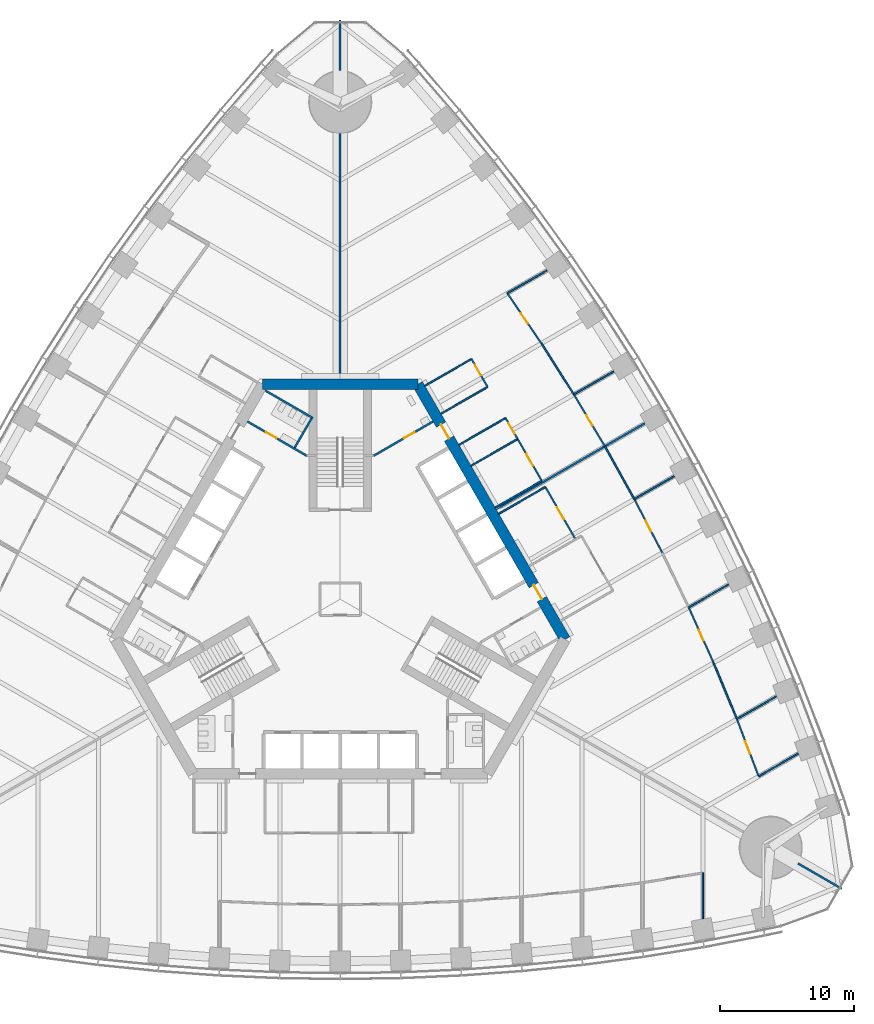
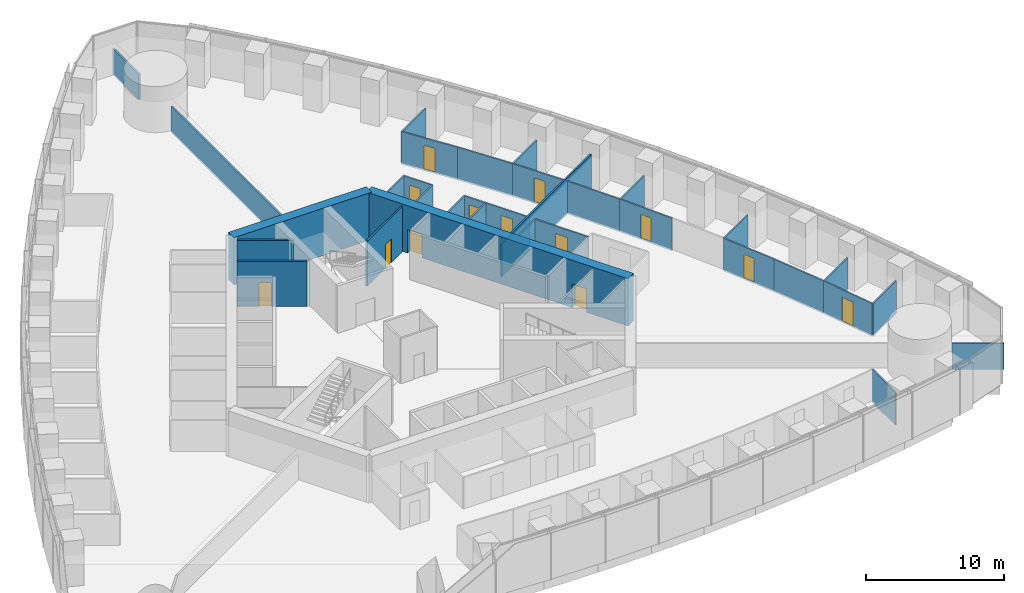
# One storey, part 13 of 19: 35 walls, 13 doors, 13 openings.
"""IFC4 building model written with IfcOpenShell, lengths in metres."""

from ifc_helpers import new_model, si_unit, direction, frame, frame_2d, origin, place, context, subcontext, project, spatial, rectangle, extrude, material, layer, layer_set, type_object, element, fill, save


model = new_model("IFC4")

# Units and contexts
model_context = context("Model", 3, precision=1e-05, world=origin(), true_north=direction((0.0, 1.0)))
body_context = subcontext(model_context, "Body", "Model", "MODEL_VIEW")
ifc_project = project(units=[si_unit("LENGTHUNIT", "METRE"), si_unit("AREAUNIT", "SQUARE_METRE"), si_unit("VOLUMEUNIT", "CUBIC_METRE"), si_unit("PLANEANGLEUNIT", "RADIAN"), si_unit("MASSUNIT", "GRAM", prefix="KILO")], contexts=[model_context])

# Site, building, storey
site_placement = place(None, origin())
site = spatial("IfcSite", under=ifc_project, at=site_placement, CompositionType="ELEMENT")
building_placement = place(site_placement, origin())
building = spatial("IfcBuilding", under=site, at=building_placement, Name="Trefoil Bronze Tower", CompositionType="ELEMENT")
storey_placement = place(building_placement, frame((0.0, 0.0, 20.699951171875)))
storey = spatial("IfcBuildingStorey", under=building, at=storey_placement, Name="L04", CompositionType="ELEMENT", Elevation=20.699951171875)

# Wall, openings, doors
ifc_material_1 = material(Name="Concrete B80", Category="concrete")
ifc_layer_1 = layer(ifc_material_1, 0.800048828125)
ifc_layer_set_1 = layer_set([ifc_layer_1], Name="Core wall 800")
wall_type_1 = type_object("IfcWallType", Name="Core wall 800", PredefinedType="SHEAR", material=ifc_layer_set_1)
wall_1_placement = place(storey_placement, frame((16.7431640625, -3.0, 0.0), z_axis=(0.0, 0.0, 1.0), x_axis=(-0.500002442456, 0.866023993627, 0.0)))
wall_1 = element("IfcWall", 1, at=wall_1_placement, inside=storey, type_object=wall_type_1, Name="Core long wall 2 L04", PredefinedType="SHEAR", context=body_context, shape_type="SweptSolid", body=[
    extrude(rectangle(XDim=21.939453125, YDim=0.800048828125, at=frame_2d((10.9697265625, 0.0))), origin(), (0.0, 0.0, 1.0), 4.199951171875),
])
opening_1_placement = place(wall_1_placement, frame((17.269775390625, 0.0, 0.0)))
opening_1 = element("IfcOpeningElement", 2, at=opening_1_placement, cuts=wall_1, Name="Opening D2", PredefinedType="OPENING", context=body_context, shape_type="SweptSolid", body=[
    extrude(rectangle(XDim=1.199951171875, YDim=2.10009765625, at=frame_2d((0.60009765625, 1.050048828125))), frame((0.0, 0.409912109375, 0.0), z_axis=(0.0, -1.0, 0.0), x_axis=(1.0, 0.0, 0.0)), (0.0, 0.0, 1.0), 0.820068359375),
])
opening_2_placement = place(wall_1_placement, frame((3.4697265625, 0.0, 0.0)))
opening_2 = element("IfcOpeningElement", 3, at=opening_2_placement, cuts=wall_1, Name="Opening D2", PredefinedType="OPENING", context=body_context, shape_type="SweptSolid", body=[
    extrude(rectangle(XDim=1.199951171875, YDim=2.10009765625, at=frame_2d((0.60009765625, 1.050048828125))), frame((0.0, 0.409912109375, 0.0), z_axis=(0.0, -1.0, 0.0), x_axis=(1.0, 0.0, 0.0)), (0.0, 0.0, 1.0), 0.820068359375),
])
ifc_material_2 = material(Name="Steel door", Category="steel")
door_type_1 = type_object("IfcDoorType", Name="Lobby door 1200", OperationType="SINGLE_SWING_RIGHT", PredefinedType="DOOR", material=ifc_material_2)
door_1_placement = place(opening_1_placement, origin())
door_1 = element("IfcDoor", 4, at=door_1_placement, inside=storey, type_object=door_type_1, Name="Lobby door F2+ L04", OperationType="SINGLE_SWING_RIGHT", OverallHeight=2.10009765625, OverallWidth=1.199951171875, PredefinedType="DOOR", context=body_context, shape_type="SweptSolid", body=[
    extrude(rectangle(XDim=1.199951171875, YDim=2.10009765625, at=frame_2d((0.60009765625, 1.050048828125))), frame((0.0, 0.02490234375, 0.0), z_axis=(0.0, -1.0, 0.0), x_axis=(1.0, 0.0, 0.0)), (0.0, 0.0, 1.0), 0.050048828125),
])
fill(opening_1, door_1)
door_2_placement = place(opening_2_placement, origin())
door_2 = element("IfcDoor", 5, at=door_2_placement, inside=storey, type_object=door_type_1, Name="Lobby door F2- L04", OperationType="SINGLE_SWING_LEFT", OverallHeight=2.10009765625, OverallWidth=1.199951171875, PredefinedType="DOOR", context=body_context, shape_type="SweptSolid", body=[
    extrude(rectangle(XDim=1.199951171875, YDim=2.10009765625, at=frame_2d((0.60009765625, 1.050048828125))), frame((0.0, 0.02490234375, 0.0), z_axis=(0.0, -1.0, 0.0), x_axis=(1.0, 0.0, 0.0)), (0.0, 0.0, 1.0), 0.050048828125),
])
fill(opening_2, door_2)

# Walls
wall_2_placement = place(storey_placement, frame((5.7734375, 16.0, 0.0), z_axis=(0.0, 0.0, 1.0), x_axis=(-1.0, 0.0, 0.0)))
element("IfcWall", 6, at=wall_2_placement, inside=storey, type_object=wall_type_1, Name="Core short wall 2 L04", PredefinedType="SHEAR", context=body_context, shape_type="SweptSolid", body=[
    extrude(rectangle(XDim=11.546875, YDim=0.800048828125, at=frame_2d((5.7734375, 0.0))), origin(), (0.0, 0.0, 1.0), 4.199951171875),
])
ifc_material_3 = material(Name="Glazed partition", Category="glass")
ifc_layer_2 = layer(ifc_material_3, 0.1201171875)
ifc_layer_set_2 = layer_set([ifc_layer_2], Name="Glazed partition 120")
wall_type_2 = type_object("IfcWallType", Name="Glazed partition 120", PredefinedType="PARTITIONING", material=ifc_layer_set_2)
wall_3_placement = place(storey_placement, frame((27.0, -20.38037109375, 0.0), z_axis=(0.0, 0.0, 1.0), x_axis=(0.0, -1.0, 0.0)))
element("IfcWall", 7, at=wall_3_placement, inside=storey, type_object=wall_type_2, Name="Partition F1 L04", PredefinedType="PARTITIONING", context=body_context, shape_type="SweptSolid", body=[
    extrude(rectangle(XDim=3.395751953125, YDim=0.1201171875, at=frame_2d((1.69775390625, 0.0))), origin(), (0.0, 0.0, 1.0), 2.900146484375),
])

# Wall, opening, door
wall_4_placement = place(storey_placement, frame((15.00634765625, 8.808349609375, 0.0), z_axis=(0.0, 0.0, 1.0), x_axis=(-0.500012057535, 0.866018442252, 0.0)))
wall_4 = element("IfcWall", 8, at=wall_4_placement, inside=storey, type_object=wall_type_2, Name="Partition F2 L04", PredefinedType="PARTITIONING", context=body_context, shape_type="SweptSolid", body=[
    extrude(rectangle(XDim=3.60009765625, YDim=0.1201171875, at=frame_2d((1.800048828125, 0.0))), origin(), (0.0, 0.0, 1.0), 2.900146484375),
])
opening_3_placement = place(wall_4_placement, frame((1.300048828125, 0.0, 0.14990234375)))
opening_3 = element("IfcOpeningElement", 9, at=opening_3_placement, cuts=wall_4, Name="Opening D9", PredefinedType="OPENING", context=body_context, shape_type="SweptSolid", body=[
    extrude(rectangle(XDim=1.0, YDim=2.10009765625, at=frame_2d((0.5, 1.050048828125))), frame((0.0, 0.070068359375, 0.0), z_axis=(0.0, -1.0, 0.0), x_axis=(1.0, 0.0, 0.0)), (0.0, 0.0, 1.0), 0.14013671875),
])
ifc_material_4 = material(Name="Glazed timber door", Category="wood")
door_type_2 = type_object("IfcDoorType", Name="Meeting room door 1000", OperationType="SINGLE_SWING_LEFT", PredefinedType="DOOR", material=ifc_material_4)
door_3_placement = place(opening_3_placement, origin())
door_3 = element("IfcDoor", 10, at=door_3_placement, inside=storey, type_object=door_type_2, Name="Meeting room door F2 L04", OperationType="SINGLE_SWING_LEFT", OverallHeight=2.10009765625, OverallWidth=1.0, PredefinedType="DOOR", context=body_context, shape_type="SweptSolid", body=[
    extrude(rectangle(XDim=1.0, YDim=2.10009765625, at=frame_2d((0.5, 1.050048828125))), frame((0.0, 0.02490234375, 0.0), z_axis=(0.0, -1.0, 0.0), x_axis=(1.0, 0.0, 0.0)), (0.0, 0.0, 1.0), 0.050048828125),
])
fill(opening_3, door_3)

wall_5_placement = place(storey_placement, frame((13.206298828125, 11.926025390625, 0.0), z_axis=(0.0, 0.0, 1.0), x_axis=(-0.499961193289, 0.866047807691, 0.0)))
wall_5 = element("IfcWall", 11, at=wall_5_placement, inside=storey, type_object=wall_type_2, Name="Partition F2 L04", PredefinedType="PARTITIONING", context=body_context, shape_type="SweptSolid", body=[
    extrude(rectangle(XDim=1.800048828125, YDim=0.1201171875, at=frame_2d((0.89990234375, 0.0))), origin(), (0.0, 0.0, 1.0), 2.900146484375),
])
opening_4_placement = place(wall_5_placement, frame((0.449951171875, 0.0, 0.14990234375)))
opening_4 = element("IfcOpeningElement", 12, at=opening_4_placement, cuts=wall_5, Name="Opening D8", PredefinedType="OPENING", context=body_context, shape_type="SweptSolid", body=[
    extrude(rectangle(XDim=0.89990234375, YDim=2.10009765625, at=frame_2d((0.449951171875, 1.050048828125))), frame((0.0, 0.070068359375, 0.0), z_axis=(0.0, -1.0, 0.0), x_axis=(1.0, 0.0, 0.0)), (0.0, 0.0, 1.0), 0.14013671875),
])
ifc_material_5 = material(Name="Timber door", Category="wood")
door_type_3 = type_object("IfcDoorType", Name="Office door 900", OperationType="SINGLE_SWING_LEFT", PredefinedType="DOOR", material=ifc_material_5)
door_4_placement = place(opening_4_placement, origin())
door_4 = element("IfcDoor", 13, at=door_4_placement, inside=storey, type_object=door_type_3, Name="Phone room door F2 L04", OperationType="SINGLE_SWING_LEFT", OverallHeight=2.10009765625, OverallWidth=0.89990234375, PredefinedType="DOOR", context=body_context, shape_type="SweptSolid", body=[
    extrude(rectangle(XDim=0.89990234375, YDim=2.10009765625, at=frame_2d((0.449951171875, 1.050048828125))), frame((0.0, 0.02490234375, 0.0), z_axis=(0.0, -1.0, 0.0), x_axis=(1.0, 0.0, 0.0)), (0.0, 0.0, 1.0), 0.050048828125),
])
fill(opening_4, door_4)

wall_6_placement = place(storey_placement, frame((10.96875, 15.801513671875, 0.0), z_axis=(0.0, 0.0, 1.0), x_axis=(-0.500001309137, 0.866024647952, 0.0)))
wall_6 = element("IfcWall", 14, at=wall_6_placement, inside=storey, type_object=wall_type_2, Name="Partition F2 L04", PredefinedType="PARTITIONING", context=body_context, shape_type="SweptSolid", body=[
    extrude(rectangle(XDim=2.39990234375, YDim=0.1201171875, at=frame_2d((1.199951171875, 0.0))), origin(), (0.0, 0.0, 1.0), 2.900146484375),
])
opening_5_placement = place(wall_6_placement, frame((1.0, 0.0, 0.14990234375)))
opening_5 = element("IfcOpeningElement", 15, at=opening_5_placement, cuts=wall_6, Name="Opening D8", PredefinedType="OPENING", context=body_context, shape_type="SweptSolid", body=[
    extrude(rectangle(XDim=0.89990234375, YDim=2.10009765625, at=frame_2d((0.449951171875, 1.050048828125))), frame((0.0, 0.070068359375, 0.0), z_axis=(0.0, -1.0, 0.0), x_axis=(1.0, 0.0, 0.0)), (0.0, 0.0, 1.0), 0.14013671875),
])
door_5_placement = place(opening_5_placement, origin())
door_5 = element("IfcDoor", 16, at=door_5_placement, inside=storey, type_object=door_type_3, Name="Comms room door F2 L04", OperationType="SINGLE_SWING_RIGHT", OverallHeight=2.10009765625, OverallWidth=0.89990234375, PredefinedType="DOOR", context=body_context, shape_type="SweptSolid", body=[
    extrude(rectangle(XDim=0.89990234375, YDim=2.10009765625, at=frame_2d((0.449951171875, 1.050048828125))), frame((0.0, 0.02490234375, 0.0), z_axis=(0.0, -1.0, 0.0), x_axis=(1.0, 0.0, 0.0)), (0.0, 0.0, 1.0), 0.050048828125),
])
fill(opening_5, door_5)

wall_7_placement = place(storey_placement, frame((17.518798828125, 4.45654296875, 0.0), z_axis=(0.0, 0.0, 1.0), x_axis=(-0.500013631625, 0.866017533419, 0.0)))
wall_7 = element("IfcWall", 17, at=wall_7_placement, inside=storey, type_object=wall_type_2, Name="Partition F2 L04", PredefinedType="PARTITIONING", context=body_context, shape_type="SweptSolid", body=[
    extrude(rectangle(XDim=4.499755859375, YDim=0.1201171875, at=frame_2d((2.25, 0.0))), origin(), (0.0, 0.0, 1.0), 2.900146484375),
])
opening_6_placement = place(wall_7_placement, frame((1.75, 0.0, 0.14990234375)))
opening_6 = element("IfcOpeningElement", 18, at=opening_6_placement, cuts=wall_7, Name="Opening D9", PredefinedType="OPENING", context=body_context, shape_type="SweptSolid", body=[
    extrude(rectangle(XDim=1.0, YDim=2.10009765625, at=frame_2d((0.5, 1.050048828125))), frame((0.0, 0.070068359375, 0.0), z_axis=(0.0, -1.0, 0.0), x_axis=(1.0, 0.0, 0.0)), (0.0, 0.0, 1.0), 0.14013671875),
])
door_6_placement = place(opening_6_placement, origin())
door_6 = element("IfcDoor", 19, at=door_6_placement, inside=storey, type_object=door_type_2, Name="Project room door F2 L04", OperationType="SINGLE_SWING_RIGHT", OverallHeight=2.10009765625, OverallWidth=1.0, PredefinedType="DOOR", context=body_context, shape_type="SweptSolid", body=[
    extrude(rectangle(XDim=1.0, YDim=2.10009765625, at=frame_2d((0.5, 1.050048828125))), frame((0.0, 0.02490234375, 0.0), z_axis=(0.0, -1.0, 0.0), x_axis=(1.0, 0.0, 0.0)), (0.0, 0.0, 1.0), 0.050048828125),
])
fill(opening_6, door_6)

# Walls
for number, where, z_axis, x_axis, name in (
    (20, (11.542236328125, 6.808349609375, 0.0), (0.0, 0.0, 1.0), (0.866026010844, 0.49999894854, 0.0), "Partition F2 L04"),
    (21, (6.3046875, 15.8798828125, 0.0), (0.0, 0.0, 1.0), (0.866026010844, 0.49999894854, 0.0), "Partition F2 L04"),
    (22, (9.7421875, 9.926025390625, 0.0), (0.0, 0.0, 1.0), (0.866026010844, 0.49999894854, 0.0), "Partition F2 L04"),
    (23, (8.84228515625, 11.48486328125, 0.0), (0.0, 0.0, 1.0), (0.866026010844, 0.49999894854, 0.0), "Partition F2 L04"),
    (24, (7.504638671875, 13.801513671875, 0.0), (0.0, 0.0, 1.0), (0.866026010844, 0.49999894854, 0.0), "Partition F2 L04"),
    (25, (11.8046875, 6.353515625, 0.0), (0.0, 0.0, 1.0), (0.866026010844, 0.49999894854, 0.0), "Partition F2 L04"),
):
    element("IfcWall", number, at=place(storey_placement, frame(where, z_axis=z_axis, x_axis=x_axis)), inside=storey, type_object=wall_type_2, Name=name, PredefinedType="PARTITIONING", context=body_context, shape_type="SweptSolid", body=[
        extrude(rectangle(XDim=4.0, YDim=0.1201171875, at=frame_2d((2.0, 0.0))), origin(), (0.0, 0.0, 1.0), 2.900146484375),
    ])

# Wall, opening, door
wall_8_placement = place(storey_placement, frame((19.700927734375, 11.374267578125, 0.0), z_axis=(0.0, 0.0, 1.0), x_axis=(-0.512483962191, 0.858696796604, 0.0)))
wall_8 = element("IfcWall", 26, at=wall_8_placement, inside=storey, type_object=wall_type_2, Name="Partition F2 L04", PredefinedType="PARTITIONING", context=body_context, shape_type="SweptSolid", body=[
    extrude(rectangle(XDim=4.50048828125, YDim=0.1201171875, at=frame_2d((2.250244140625, 0.0))), origin(), (0.0, 0.0, 1.0), 2.900146484375),
])
opening_7_placement = place(wall_8_placement, frame((1.800048828125, 0.0, 0.14990234375)))
opening_7 = element("IfcOpeningElement", 27, at=opening_7_placement, cuts=wall_8, Name="Opening D8", PredefinedType="OPENING", context=body_context, shape_type="SweptSolid", body=[
    extrude(rectangle(XDim=0.89990234375, YDim=2.10009765625, at=frame_2d((0.449951171875, 1.050048828125))), frame((0.0, 0.070068359375, 0.0), z_axis=(0.0, -1.0, 0.0), x_axis=(1.0, 0.0, 0.0)), (0.0, 0.0, 1.0), 0.14013671875),
])
door_7_placement = place(opening_7_placement, frame((0.89990234375, 0.0, 0.0), z_axis=(0.0, 0.0, 1.0), x_axis=(-1.0, 0.0, 0.0)))
door_7 = element("IfcDoor", 28, at=door_7_placement, inside=storey, type_object=door_type_3, Name="Executive office door F2 L04", OperationType="SINGLE_SWING_RIGHT", OverallHeight=2.10009765625, OverallWidth=0.89990234375, PredefinedType="DOOR", context=body_context, shape_type="SweptSolid", body=[
    extrude(rectangle(XDim=0.89990234375, YDim=2.10009765625, at=frame_2d((0.449951171875, 1.050048828125))), frame((0.0, 0.02490234375, 0.0), z_axis=(0.0, -1.0, 0.0), x_axis=(1.0, 0.0, 0.0)), (0.0, 0.0, 1.0), 0.050048828125),
])
fill(opening_7, door_7)

# Wall
wall_9_placement = place(storey_placement, frame((17.39453125, 15.23876953125, 0.0), z_axis=(0.0, 0.0, 1.0), x_axis=(-0.537243691336, 0.843427066272, 0.0)))
element("IfcWall", 29, at=wall_9_placement, inside=storey, type_object=wall_type_2, Name="Partition F2 L04", PredefinedType="PARTITIONING", context=body_context, shape_type="SweptSolid", body=[
    extrude(rectangle(XDim=4.50439453125, YDim=0.1201171875, at=frame_2d((2.252197265625, 0.0))), origin(), (0.0, 0.0, 1.0), 2.900146484375),
])

# Wall, opening, door
wall_10_placement = place(storey_placement, frame((14.974609375, 19.037841796875, 0.0), z_axis=(0.0, 0.0, 1.0), x_axis=(-0.561512004239, 0.827468591002, 0.0)))
wall_10 = element("IfcWall", 30, at=wall_10_placement, inside=storey, type_object=wall_type_2, Name="Partition F2 L04", PredefinedType="PARTITIONING", context=body_context, shape_type="SweptSolid", body=[
    extrude(rectangle(XDim=4.51171875, YDim=0.1201171875, at=frame_2d((2.255859375, 0.0))), origin(), (0.0, 0.0, 1.0), 2.900146484375),
])
opening_8_placement = place(wall_10_placement, frame((1.800048828125, 0.0, 0.14990234375)))
opening_8 = element("IfcOpeningElement", 31, at=opening_8_placement, cuts=wall_10, Name="Opening D8", PredefinedType="OPENING", context=body_context, shape_type="SweptSolid", body=[
    extrude(rectangle(XDim=0.89990234375, YDim=2.10009765625, at=frame_2d((0.449951171875, 1.050048828125))), frame((0.0, 0.070068359375, 0.0), z_axis=(0.0, -1.0, 0.0), x_axis=(1.0, 0.0, 0.0)), (0.0, 0.0, 1.0), 0.14013671875),
])
door_8_placement = place(opening_8_placement, frame((0.89990234375, 0.0, 0.0), z_axis=(0.0, 0.0, 1.0), x_axis=(-1.0, 0.0, 0.0)))
door_8 = element("IfcDoor", 32, at=door_8_placement, inside=storey, type_object=door_type_3, Name="Executive office door F2 L04", OperationType="SINGLE_SWING_RIGHT", OverallHeight=2.10009765625, OverallWidth=0.89990234375, PredefinedType="DOOR", context=body_context, shape_type="SweptSolid", body=[
    extrude(rectangle(XDim=0.89990234375, YDim=2.10009765625, at=frame_2d((0.449951171875, 1.050048828125))), frame((0.0, 0.02490234375, 0.0), z_axis=(0.0, -1.0, 0.0), x_axis=(1.0, 0.0, 0.0)), (0.0, 0.0, 1.0), 0.050048828125),
])
fill(opening_8, door_8)

wall_11_placement = place(storey_placement, frame((27.793212890625, -4.738037109375, 0.0), z_axis=(0.0, 0.0, 1.0), x_axis=(-0.409451055745, 0.912332084796, 0.0)))
wall_11 = element("IfcWall", 33, at=wall_11_placement, inside=storey, type_object=wall_type_2, Name="Partition F2 L04", PredefinedType="PARTITIONING", context=body_context, shape_type="SweptSolid", body=[
    extrude(rectangle(XDim=4.523193359375, YDim=0.1201171875, at=frame_2d((2.26171875, 0.0))), origin(), (0.0, 0.0, 1.0), 2.900146484375),
])
opening_9_placement = place(wall_11_placement, frame((1.800048828125, 0.0, 0.14990234375)))
opening_9 = element("IfcOpeningElement", 34, at=opening_9_placement, cuts=wall_11, Name="Opening D8", PredefinedType="OPENING", context=body_context, shape_type="SweptSolid", body=[
    extrude(rectangle(XDim=0.89990234375, YDim=2.10009765625, at=frame_2d((0.449951171875, 1.050048828125))), frame((0.0, 0.070068359375, 0.0), z_axis=(0.0, -1.0, 0.0), x_axis=(1.0, 0.0, 0.0)), (0.0, 0.0, 1.0), 0.14013671875),
])
door_9_placement = place(opening_9_placement, frame((0.89990234375, 0.0, 0.0), z_axis=(0.0, 0.0, 1.0), x_axis=(-1.0, 0.0, 0.0)))
door_9 = element("IfcDoor", 35, at=door_9_placement, inside=storey, type_object=door_type_3, Name="Executive office door F2 L04", OperationType="SINGLE_SWING_RIGHT", OverallHeight=2.10009765625, OverallWidth=0.89990234375, PredefinedType="DOOR", context=body_context, shape_type="SweptSolid", body=[
    extrude(rectangle(XDim=0.89990234375, YDim=2.10009765625, at=frame_2d((0.449951171875, 1.050048828125))), frame((0.0, 0.02490234375, 0.0), z_axis=(0.0, -1.0, 0.0), x_axis=(1.0, 0.0, 0.0)), (0.0, 0.0, 1.0), 0.050048828125),
])
fill(opening_9, door_9)

# Wall
wall_12_placement = place(storey_placement, frame((29.530029296875, -8.931640625, 0.0), z_axis=(0.0, 0.0, 1.0), x_axis=(-0.382639984525, 0.923897527999, 0.0)))
element("IfcWall", 36, at=wall_12_placement, inside=storey, type_object=wall_type_2, Name="Partition F2 L04", PredefinedType="PARTITIONING", context=body_context, shape_type="SweptSolid", body=[
    extrude(rectangle(XDim=4.5390625, YDim=0.1201171875, at=frame_2d((2.26953125, 0.0))), origin(), (0.0, 0.0, 1.0), 2.900146484375),
])

# Wall, opening, door
wall_13_placement = place(storey_placement, frame((31.14990234375, -13.1923828125, 0.0), z_axis=(0.0, 0.0, 1.0), x_axis=(-0.355369393324, 0.934725946087, 0.0)))
wall_13 = element("IfcWall", 37, at=wall_13_placement, inside=storey, type_object=wall_type_2, Name="Partition F2 L04", PredefinedType="PARTITIONING", context=body_context, shape_type="SweptSolid", body=[
    extrude(rectangle(XDim=4.558349609375, YDim=0.1201171875, at=frame_2d((2.279296875, 0.0))), origin(), (0.0, 0.0, 1.0), 2.900146484375),
])
opening_10_placement = place(wall_13_placement, frame((1.800048828125, 0.0, 0.14990234375)))
opening_10 = element("IfcOpeningElement", 38, at=opening_10_placement, cuts=wall_13, Name="Opening D9", PredefinedType="OPENING", context=body_context, shape_type="SweptSolid", body=[
    extrude(rectangle(XDim=1.0, YDim=2.10009765625, at=frame_2d((0.5, 1.050048828125))), frame((0.0, 0.070068359375, 0.0), z_axis=(0.0, -1.0, 0.0), x_axis=(1.0, 0.0, 0.0)), (0.0, 0.0, 1.0), 0.14013671875),
])
door_10_placement = place(opening_10_placement, frame((1.0, 0.0, 0.0), z_axis=(0.0, 0.0, 1.0), x_axis=(-1.0, 0.0, 0.0)))
door_10 = element("IfcDoor", 39, at=door_10_placement, inside=storey, type_object=door_type_2, Name="Meeting room door F2 L04", OperationType="SINGLE_SWING_LEFT", OverallHeight=2.10009765625, OverallWidth=1.0, PredefinedType="DOOR", context=body_context, shape_type="SweptSolid", body=[
    extrude(rectangle(XDim=1.0, YDim=2.10009765625, at=frame_2d((0.5, 1.050048828125))), frame((0.0, 0.02490234375, 0.0), z_axis=(0.0, -1.0, 0.0), x_axis=(1.0, 0.0, 0.0)), (0.0, 0.0, 1.0), 0.050048828125),
])
fill(opening_10, door_10)

# Wall
wall_14_placement = place(storey_placement, frame((21.89453125, 7.444580078125, 0.0), z_axis=(0.0, 0.0, 1.0), x_axis=(-0.487415216275, 0.87317031955, 0.0)))
element("IfcWall", 40, at=wall_14_placement, inside=storey, type_object=wall_type_2, Name="Partition F2 L04", PredefinedType="PARTITIONING", context=body_context, shape_type="SweptSolid", body=[
    extrude(rectangle(XDim=4.50048828125, YDim=0.1201171875, at=frame_2d((2.250244140625, 0.0))), origin(), (0.0, 0.0, 1.0), 2.900146484375),
])

# Wall, opening, door
wall_15_placement = place(storey_placement, frame((23.974609375, 3.449462890625, 0.0), z_axis=(0.0, 0.0, 1.0), x_axis=(-0.461810056307, 0.886978845235, 0.0)))
wall_15 = element("IfcWall", 41, at=wall_15_placement, inside=storey, type_object=wall_type_2, Name="Partition F2 L04", PredefinedType="PARTITIONING", context=body_context, shape_type="SweptSolid", body=[
    extrude(rectangle(XDim=4.504150390625, YDim=0.1201171875, at=frame_2d((2.251953125, 0.0))), origin(), (0.0, 0.0, 1.0), 2.900146484375),
])
opening_11_placement = place(wall_15_placement, frame((1.800048828125, 0.0, 0.14990234375)))
opening_11 = element("IfcOpeningElement", 42, at=opening_11_placement, cuts=wall_15, Name="Opening D8", PredefinedType="OPENING", context=body_context, shape_type="SweptSolid", body=[
    extrude(rectangle(XDim=0.89990234375, YDim=2.10009765625, at=frame_2d((0.449951171875, 1.050048828125))), frame((0.0, 0.070068359375, 0.0), z_axis=(0.0, -1.0, 0.0), x_axis=(1.0, 0.0, 0.0)), (0.0, 0.0, 1.0), 0.14013671875),
])
door_11_placement = place(opening_11_placement, frame((0.89990234375, 0.0, 0.0), z_axis=(0.0, 0.0, 1.0), x_axis=(-1.0, 0.0, 0.0)))
door_11 = element("IfcDoor", 43, at=door_11_placement, inside=storey, type_object=door_type_3, Name="Executive office door F2 L04", OperationType="SINGLE_SWING_RIGHT", OverallHeight=2.10009765625, OverallWidth=0.89990234375, PredefinedType="DOOR", context=body_context, shape_type="SweptSolid", body=[
    extrude(rectangle(XDim=0.89990234375, YDim=2.10009765625, at=frame_2d((0.449951171875, 1.050048828125))), frame((0.0, 0.02490234375, 0.0), z_axis=(0.0, -1.0, 0.0), x_axis=(1.0, 0.0, 0.0)), (0.0, 0.0, 1.0), 0.050048828125),
])
fill(opening_11, door_11)

# Walls
wall_16_placement = place(storey_placement, frame((12.441162109375, 22.771240234375, 0.0), z_axis=(0.0, 0.0, 1.0), x_axis=(0.866016478054, 0.500015459501, 0.0)))
element("IfcWall", 44, at=wall_16_placement, inside=storey, type_object=wall_type_2, Name="Partition F2 L04", PredefinedType="PARTITIONING", context=body_context, shape_type="SweptSolid", body=[
    extrude(rectangle(XDim=3.4140625, YDim=0.1201171875, at=frame_2d((1.70703125, 0.0))), origin(), (0.0, 0.0, 1.0), 2.900146484375),
])
wall_17_placement = place(storey_placement, frame((17.39453125, 15.23876953125, 0.0), z_axis=(0.0, 0.0, 1.0), x_axis=(0.866015553834, 0.500017060227, 0.0)))
element("IfcWall", 45, at=wall_17_placement, inside=storey, type_object=wall_type_2, Name="Partition F2 L04", PredefinedType="PARTITIONING", context=body_context, shape_type="SweptSolid", body=[
    extrude(rectangle(XDim=3.41943359375, YDim=0.1201171875, at=frame_2d((1.709716796875, 0.0))), origin(), (0.0, 0.0, 1.0), 2.900146484375),
])
wall_18_placement = place(storey_placement, frame((25.941162109375, -0.611328125, 0.0), z_axis=(0.0, 0.0, 1.0), x_axis=(0.866016478054, 0.500015459501, 0.0)))
element("IfcWall", 46, at=wall_18_placement, inside=storey, type_object=wall_type_2, Name="Partition F2 L04", PredefinedType="PARTITIONING", context=body_context, shape_type="SweptSolid", body=[
    extrude(rectangle(XDim=3.4140625, YDim=0.1201171875, at=frame_2d((1.70703125, 0.0))), origin(), (0.0, 0.0, 1.0), 2.900146484375),
])
wall_19_placement = place(storey_placement, frame((29.530029296875, -8.931640625, 0.0), z_axis=(0.0, 0.0, 1.0), x_axis=(0.866018335219, 0.500012242915, 0.0)))
element("IfcWall", 47, at=wall_19_placement, inside=storey, type_object=wall_type_2, Name="Partition F2 L04", PredefinedType="PARTITIONING", context=body_context, shape_type="SweptSolid", body=[
    extrude(rectangle(XDim=3.4033203125, YDim=0.1201171875, at=frame_2d((1.70166015625, 0.0))), origin(), (0.0, 0.0, 1.0), 2.900146484375),
])
wall_20_placement = place(storey_placement, frame((31.14990234375, -13.1923828125, 0.0), z_axis=(0.0, 0.0, 1.0), x_axis=(0.866031132047, 0.499990078228, 0.0)))
element("IfcWall", 48, at=wall_20_placement, inside=storey, type_object=wall_type_2, Name="Partition F2 L04", PredefinedType="PARTITIONING", context=body_context, shape_type="SweptSolid", body=[
    extrude(rectangle(XDim=3.3955078125, YDim=0.1201171875, at=frame_2d((1.69775390625, 0.0))), origin(), (0.0, 0.0, 1.0), 2.900146484375),
])
wall_21_placement = place(storey_placement, frame((21.89453125, 7.444580078125, 0.0), z_axis=(0.0, 0.0, 1.0), x_axis=(0.866015553834, 0.500017060227, 0.0)))
element("IfcWall", 49, at=wall_21_placement, inside=storey, type_object=wall_type_2, Name="Partition F2 L04", PredefinedType="PARTITIONING", context=body_context, shape_type="SweptSolid", body=[
    extrude(rectangle(XDim=3.41943359375, YDim=0.1201171875, at=frame_2d((1.709716796875, 0.0))), origin(), (0.0, 0.0, 1.0), 2.900146484375),
])

# Wall, opening, door
ifc_material_6 = material(Name="Gypsum board on steel studs", Category="steel")
ifc_layer_3 = layer(ifc_material_6, 0.14990234375)
ifc_layer_set_3 = layer_set([ifc_layer_3], Name="Partition 150")
wall_type_3 = type_object("IfcWallType", Name="Partition 150", PredefinedType="PARTITIONING", material=ifc_layer_set_3)
wall_22_placement = place(storey_placement, frame((2.4951171875, 10.67822265625, 0.0), z_axis=(0.0, 0.0, 1.0), x_axis=(0.86602216432, 0.500005610874, 0.0)))
wall_22 = element("IfcWall", 50, at=wall_22_placement, inside=storey, type_object=wall_type_3, Name="Passage wall F2+ L04", PredefinedType="PARTITIONING", context=body_context, shape_type="SweptSolid", body=[
    extrude(rectangle(XDim=5.10009765625, YDim=0.14990234375, at=frame_2d((2.550048828125, 0.0))), origin(), (0.0, 0.0, 1.0), 4.0),
])
opening_12_placement = place(wall_22_placement, frame((2.60009765625, 0.0, 0.0)))
opening_12 = element("IfcOpeningElement", 51, at=opening_12_placement, cuts=wall_22, Name="Opening D3", PredefinedType="OPENING", context=body_context, shape_type="SweptSolid", body=[
    extrude(rectangle(XDim=0.89990234375, YDim=2.10009765625, at=frame_2d((0.449951171875, 1.050048828125))), frame((0.0, 0.0849609375, 0.0), z_axis=(0.0, -1.0, 0.0), x_axis=(1.0, 0.0, 0.0)), (0.0, 0.0, 1.0), 0.169921875),
])
ifc_material_7 = material(Name="Timber door", Category="wood")
door_type_4 = type_object("IfcDoorType", Name="WC door 900", OperationType="SINGLE_SWING_LEFT", PredefinedType="DOOR", material=ifc_material_7)
door_12_placement = place(opening_12_placement, origin())
door_12 = element("IfcDoor", 52, at=door_12_placement, inside=storey, type_object=door_type_4, Name="Accessible WC door L04", OperationType="SINGLE_SWING_RIGHT", OverallHeight=2.10009765625, OverallWidth=0.89990234375, PredefinedType="DOOR", context=body_context, shape_type="SweptSolid", body=[
    extrude(rectangle(XDim=0.89990234375, YDim=2.10009765625, at=frame_2d((0.449951171875, 1.050048828125))), frame((0.0, 0.02490234375, 0.0), z_axis=(0.0, -1.0, 0.0), x_axis=(1.0, 0.0, 0.0)), (0.0, 0.0, 1.0), 0.050048828125),
])
fill(opening_12, door_12)

wall_23_placement = place(storey_placement, frame((-2.4951171875, 10.67822265625, 0.0), z_axis=(0.0, 0.0, 1.0), x_axis=(-0.86602216432, 0.500005610874, 0.0)))
wall_23 = element("IfcWall", 53, at=wall_23_placement, inside=storey, type_object=wall_type_3, Name="Passage wall F3- L04", PredefinedType="PARTITIONING", context=body_context, shape_type="SweptSolid", body=[
    extrude(rectangle(XDim=5.10009765625, YDim=0.14990234375, at=frame_2d((2.550048828125, 0.0))), origin(), (0.0, 0.0, 1.0), 4.0),
])
opening_13_placement = place(wall_23_placement, frame((2.60009765625, 0.0, 0.0)))
opening_13 = element("IfcOpeningElement", 54, at=opening_13_placement, cuts=wall_23, Name="Opening D3", PredefinedType="OPENING", context=body_context, shape_type="SweptSolid", body=[
    extrude(rectangle(XDim=0.89990234375, YDim=2.10009765625, at=frame_2d((0.449951171875, 1.050048828125))), frame((0.0, 0.0849609375, 0.0), z_axis=(0.0, -1.0, 0.0), x_axis=(1.0, 0.0, 0.0)), (0.0, 0.0, 1.0), 0.169921875),
])
door_13_placement = place(opening_13_placement, frame((0.89990234375, 0.0, 0.0), z_axis=(0.0, 0.0, 1.0), x_axis=(-1.0, 0.0, 0.0)))
door_13 = element("IfcDoor", 55, at=door_13_placement, inside=storey, type_object=door_type_4, Name="WC (women) door L04", OperationType="SINGLE_SWING_RIGHT", OverallHeight=2.10009765625, OverallWidth=0.89990234375, PredefinedType="DOOR", context=body_context, shape_type="SweptSolid", body=[
    extrude(rectangle(XDim=0.89990234375, YDim=2.10009765625, at=frame_2d((0.449951171875, 1.050048828125))), frame((0.0, 0.02490234375, 0.0), z_axis=(0.0, -1.0, 0.0), x_axis=(1.0, 0.0, 0.0)), (0.0, 0.0, 1.0), 0.050048828125),
])
fill(opening_13, door_13)

# Walls
wall_24_placement = place(storey_placement, frame((-2.03125, 13.48193359375, 0.0), z_axis=(0.0, 0.0, 1.0), x_axis=(-0.866050731258, 0.499956128963, 0.0)))
element("IfcWall", 56, at=wall_24_placement, inside=storey, type_object=wall_type_3, Name="WC partition WC (women) L04", PredefinedType="PARTITIONING", context=body_context, shape_type="SweptSolid", body=[
    extrude(rectangle(XDim=4.099853515625, YDim=0.14990234375, at=frame_2d((2.0498046875, 0.0))), origin(), (0.0, 0.0, 1.0), 4.0),
])
wall_25_placement = place(storey_placement, frame((-3.388671875, 11.28076171875, 0.0), z_axis=(0.0, 0.0, 1.0), x_axis=(0.499989096993, 0.866031698547, 0.0)))
element("IfcWall", 57, at=wall_25_placement, inside=storey, type_object=wall_type_3, Name="WC partition WC (women) L04", PredefinedType="PARTITIONING", context=body_context, shape_type="SweptSolid", body=[
    extrude(rectangle(XDim=2.509765625, YDim=0.14990234375, at=frame_2d((1.2548828125, 0.0))), origin(), (0.0, 0.0, 1.0), 4.0),
])
ifc_material_8 = material(Name="Gypsum board on steel studs", Category="steel")
ifc_layer_4 = layer(ifc_material_8, 0.14990234375)
ifc_layer_set_4 = layer_set([ifc_layer_4], Name="Party wall 150")
wall_type_4 = type_object("IfcWallType", Name="Party wall 150", PredefinedType="PARTITIONING", material=ifc_layer_set_4)
wall_26_placement = place(storey_placement, frame((34.078125, -19.675048828125, 0.0), z_axis=(0.0, 0.0, 1.0), x_axis=(0.866019247219, -0.500010663332, 0.0)))
element("IfcWall", 58, at=wall_26_placement, inside=storey, type_object=wall_type_4, Name="Party wall K1 L04", PredefinedType="PARTITIONING", context=body_context, shape_type="SweptSolid", body=[
    extrude(rectangle(XDim=3.76416015625, YDim=0.14990234375, at=frame_2d((1.882080078125, 0.0))), origin(), (0.0, 0.0, 1.0), 2.300048828125),
])
wall_27_placement = place(storey_placement, frame((0.0, 16.39990234375, 0.0), z_axis=(0.0, 0.0, 1.0), x_axis=(0.0, 1.0, 0.0)))
element("IfcWall", 59, at=wall_27_placement, inside=storey, type_object=wall_type_4, Name="Party wall K2 L04", PredefinedType="PARTITIONING", context=body_context, shape_type="SweptSolid", body=[
    extrude(rectangle(XDim=18.25, YDim=0.14990234375, at=frame_2d((9.125, 0.0))), origin(), (0.0, 0.0, 1.0), 2.300048828125),
])
wall_28_placement = place(storey_placement, frame((0.0, 39.35009765625, 0.0), z_axis=(0.0, 0.0, 1.0), x_axis=(0.0, 1.0, 0.0)))
element("IfcWall", 60, at=wall_28_placement, inside=storey, type_object=wall_type_4, Name="Party wall K2 L04", PredefinedType="PARTITIONING", context=body_context, shape_type="SweptSolid", body=[
    extrude(rectangle(XDim=3.763916015625, YDim=0.14990234375, at=frame_2d((1.8818359375, 0.0))), origin(), (0.0, 0.0, 1.0), 2.300048828125),
])
wall_29_placement = place(storey_placement, frame((11.61328125, 6.705078125, 0.0), z_axis=(0.0, 0.0, 1.0), x_axis=(0.86602785495, 0.499995754432, 0.0)))
element("IfcWall", 61, at=wall_29_placement, inside=storey, type_object=wall_type_4, Name="Demising wall F2 L04", PredefinedType="PARTITIONING", context=body_context, shape_type="SweptSolid", body=[
    extrude(rectangle(XDim=12.7587890625, YDim=0.14990234375, at=frame_2d((6.37939453125, 0.0))), origin(), (0.0, 0.0, 1.0), 3.199951171875),
])

save(model, "model.ifc")
